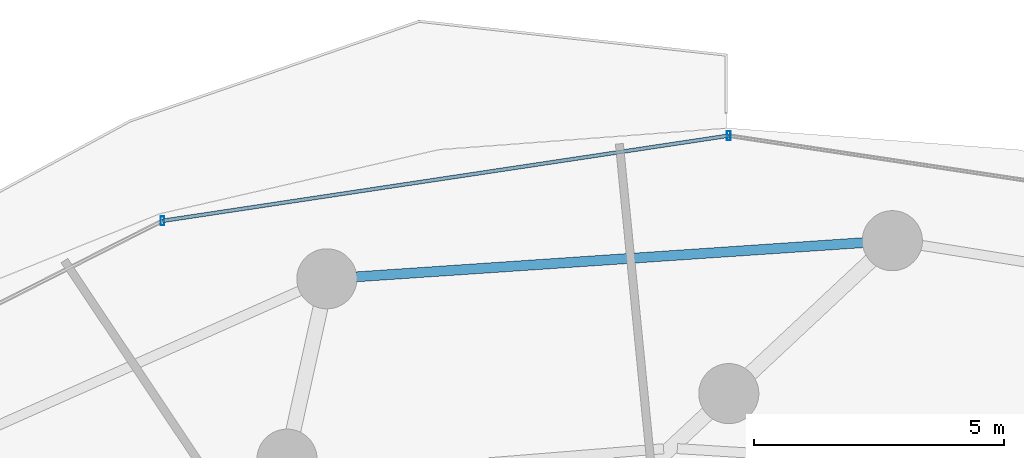
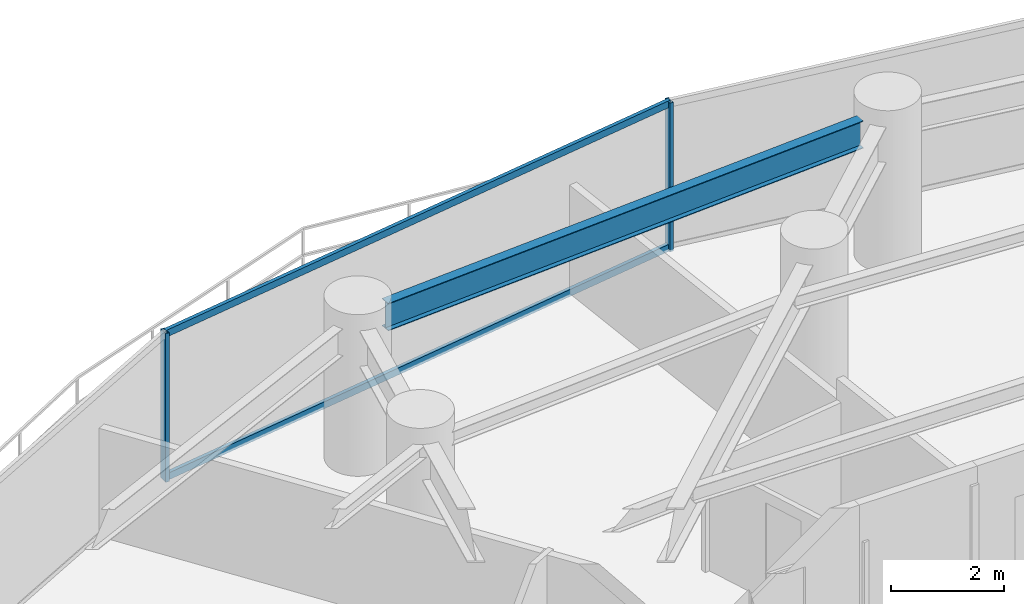
# One storey, part 21 of 34: 4 members, 1 beam, 1 element without a shape of its own.
"""IFC4 building model written with IfcOpenShell, lengths in metres."""

from ifc_helpers import new_model, si_unit, direction, frame, origin, origin_2d, place, context, subcontext, project, spatial, hollow_rectangle, i_section, extrude, material, material_profile, profile_set, type_object, element, aggregate, save


model = new_model("IFC4")

# Units and contexts
model_context = context("Model", 3, precision=1e-05, world=origin(), true_north=direction((0.0, 1.0)))
body_context = subcontext(model_context, "Body", "Model", "MODEL_VIEW")
ifc_project = project(units=[si_unit("LENGTHUNIT", "METRE"), si_unit("AREAUNIT", "SQUARE_METRE"), si_unit("VOLUMEUNIT", "CUBIC_METRE"), si_unit("PLANEANGLEUNIT", "RADIAN"), si_unit("MASSUNIT", "GRAM", prefix="KILO")], contexts=[model_context])

# Site, building, storey
site_placement = place(None, origin())
site = spatial("IfcSite", under=ifc_project, at=site_placement, CompositionType="ELEMENT")
building_placement = place(site_placement, origin())
building = spatial("IfcBuilding", under=site, at=building_placement, Name="Vorneva Point Tower", CompositionType="ELEMENT")
storey_placement = place(building_placement, frame((0.0, 0.0, 66.0)))
storey = spatial("IfcBuildingStorey", under=building, at=storey_placement, Name="L17", CompositionType="ELEMENT", Elevation=66.0)

# Beam
ifc_material_1 = material(Name="Steel S355", Category="steel")
ifc_material_profile_1 = material_profile(ifc_material_1, i_section(OverallWidth=0.198974609375, OverallDepth=0.595947265625, WebThickness=0.010009765625, FlangeThickness=0.014892578125, at=origin_2d()), Name="60B1")
ifc_profile_set_1 = profile_set([ifc_material_profile_1], Name="Steel S355")
beam_type = type_object("IfcBeamType", Name="BM-SPN-60B1", PredefinedType="SPANDREL", material=ifc_profile_set_1)
beam_placement = place(storey_placement, frame((40.681396484375, 46.213134765625, 2.85205078125), z_axis=(-0.997737743222, -0.067226451264, 0.0), x_axis=(0.067226451264, -0.997737743222, 0.0)))
element("IfcBeam", 1, at=beam_placement, inside=storey, type_object=beam_type, Name="L17 Perimeter Spandrel Ring Beam 05", PredefinedType="SPANDREL", context=body_context, shape_type="SweptSolid", body=[
    extrude(i_section(OverallWidth=0.198974609375, OverallDepth=0.595947265625, WebThickness=0.010009765625, FlangeThickness=0.014892578125, at=origin_2d()), origin(), (0.0, 0.0, 1.0), 10.146728515625),
])

# Curtain wall, members
ifc_material_2 = material(Name="Pale anodised aluminium", Category="aluminium")
curtain_wall_type = type_object("IfcCurtainWallType", Name="CW-HTL-SYS", PredefinedType="NOTDEFINED", material=ifc_material_2)
curtain_wall_placement = place(storey_placement, origin())
curtain_wall = element("IfcCurtainWall", 2, at=curtain_wall_placement, inside=storey, type_object=curtain_wall_type, Name="L17 Unitised Curtain Wall CW-L17-R02", PredefinedType="NOTDEFINED")
ifc_material_profile_2 = material_profile(ifc_material_2, hollow_rectangle(XDim=0.074951171875, YDim=0.179931640625, WallThickness=0.00390625, at=origin_2d()), Name="AL-MUL 180x75x4")
ifc_profile_set_2 = profile_set([ifc_material_profile_2], Name="Pale anodised aluminium")
member_type_1 = type_object("IfcMemberType", Name="CW-MUL-180", PredefinedType="MULLION", material=ifc_profile_set_2)
member_1_placement = place(storey_placement, frame((38.0, 48.35009765625, -0.0400390625), z_axis=(0.0, 0.0, 1.0), x_axis=(1.0, 0.0, 0.0)))
member_1 = element("IfcMember", 3, at=member_1_placement, type_object=member_type_1, Name="CW-L17-R02 Mullion 03", PredefinedType="MULLION", context=body_context, shape_type="SweptSolid", body=[
    extrude(hollow_rectangle(XDim=0.074951171875, YDim=0.179931640625, WallThickness=0.00390625, at=origin_2d()), origin(), (0.0, 0.0, 1.0), 3.219970703125),
])
member_2_placement = place(storey_placement, frame((26.691650390625, 46.648681640625, -0.0400390625), z_axis=(0.0, 0.0, 1.0), x_axis=(1.0, 0.0, 0.0)))
member_2 = element("IfcMember", 4, at=member_2_placement, type_object=member_type_1, Name="CW-L17-R02 Mullion 04", PredefinedType="MULLION", context=body_context, shape_type="SweptSolid", body=[
    extrude(hollow_rectangle(XDim=0.074951171875, YDim=0.179931640625, WallThickness=0.00390625, at=origin_2d()), origin(), (0.0, 0.0, 1.0), 3.219970703125),
])
ifc_material_profile_3 = material_profile(ifc_material_2, hollow_rectangle(XDim=0.074951171875, YDim=0.14990234375, WallThickness=0.00390625, at=origin_2d()), Name="AL-TRN 150x75x4")
ifc_profile_set_3 = profile_set([ifc_material_profile_3], Name="Pale anodised aluminium")
member_type_2 = type_object("IfcMemberType", Name="CW-TRN-150", PredefinedType="USERDEFINED", material=ifc_profile_set_3)
member_3_placement = place(storey_placement, frame((38.0, 48.35009765625, 0.02001953125), z_axis=(-0.988870014575, -0.148782036131, 0.0), x_axis=(0.148782036131, -0.988870014575, 0.0)))
member_3 = element("IfcMember", 5, at=member_3_placement, type_object=member_type_2, Name="CW-L17-R02 Transom 03.1", ObjectType="TRANSOM", PredefinedType="USERDEFINED", context=body_context, shape_type="SweptSolid", body=[
    extrude(hollow_rectangle(XDim=0.074951171875, YDim=0.14990234375, WallThickness=0.00390625, at=origin_2d()), origin(), (0.0, 0.0, 1.0), 11.435546875),
])
member_4_placement = place(storey_placement, frame((38.0, 48.35009765625, 3.1298828125), z_axis=(-0.988870014575, -0.148782036131, 0.0), x_axis=(0.148782036131, -0.988870014575, 0.0)))
member_4 = element("IfcMember", 6, at=member_4_placement, type_object=member_type_2, Name="CW-L17-R02 Transom 03.2", ObjectType="TRANSOM", PredefinedType="USERDEFINED", context=body_context, shape_type="SweptSolid", body=[
    extrude(hollow_rectangle(XDim=0.074951171875, YDim=0.14990234375, WallThickness=0.00390625, at=origin_2d()), origin(), (0.0, 0.0, 1.0), 11.435546875),
])
aggregate(curtain_wall, [member_1, member_2, member_3, member_4])

save(model, "model.ifc")
